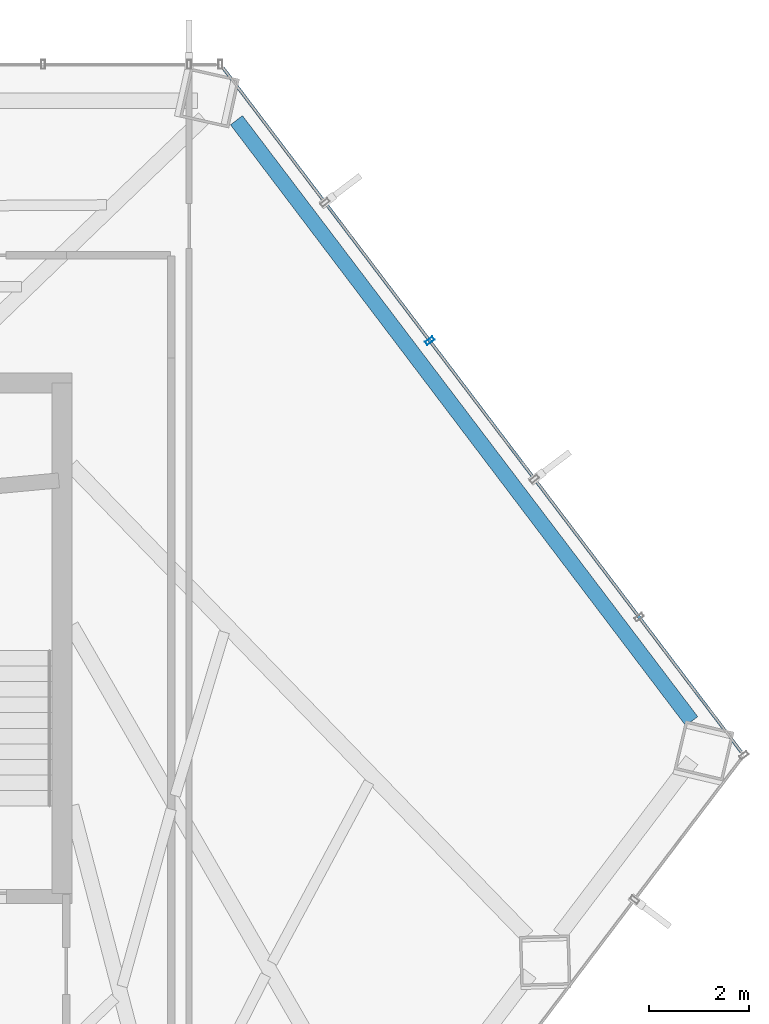
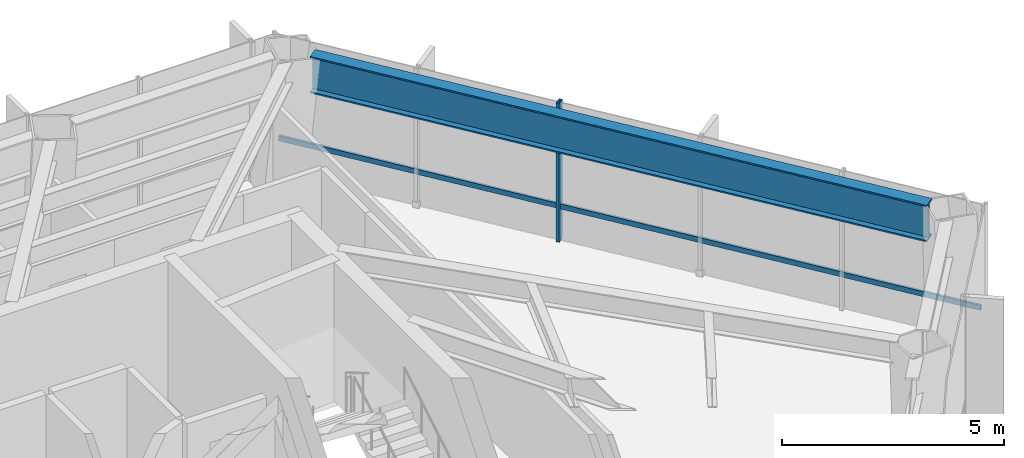
# One storey, part 19 of 24: 2 members, 1 beam, 1 element without a shape of its own.
"""IFC4 building model written with IfcOpenShell, lengths in metres."""

from ifc_helpers import new_model, si_unit, direction, frame, origin, origin_2d, place, context, subcontext, project, spatial, hollow_rectangle, i_section, extrude, material, layer, layer_set, material_profile, profile_set, type_object, element, aggregate, save


model = new_model("IFC4")

# Units and contexts
model_context = context("Model", 3, precision=1e-05, world=origin(), true_north=direction((0.0, 1.0)))
body_context = subcontext(model_context, "Body", "Model", "MODEL_VIEW")
ifc_project = project(units=[si_unit("LENGTHUNIT", "METRE"), si_unit("AREAUNIT", "SQUARE_METRE"), si_unit("VOLUMEUNIT", "CUBIC_METRE"), si_unit("PLANEANGLEUNIT", "RADIAN"), si_unit("MASSUNIT", "GRAM", prefix="KILO")], contexts=[model_context])

# Site, building, storey
site_placement = place(None, origin())
site = spatial("IfcSite", under=ifc_project, at=site_placement, CompositionType="ELEMENT")
building_placement = place(site_placement, origin())
building = spatial("IfcBuilding", under=site, at=building_placement, Name="Zarrinselat Tower", CompositionType="ELEMENT")
storey_placement = place(building_placement, frame((0.0, 0.0, 68.340087890625)))
storey = spatial("IfcBuildingStorey", under=building, at=storey_placement, Name="L16", CompositionType="ELEMENT", Elevation=68.340087890625)

# Beam
ifc_material_1 = material(Name="Steel S460M", Category="steel")
ifc_material_profile_1 = material_profile(ifc_material_1, i_section(OverallWidth=0.302001953125, OverallDepth=1.008056640625, WebThickness=0.02099609375, FlangeThickness=0.0400390625, at=origin_2d()), Name="HEM 1000")
ifc_profile_set_1 = profile_set([ifc_material_profile_1], Name="Steel S460M")
beam_type = type_object("IfcBeamType", Name="BM-HEM1000", PredefinedType="BEAM", material=ifc_profile_set_1)
beam_placement = place(storey_placement, frame((51.747802734375, 48.6943359375, 3.31591796875), z_axis=(0.60386049717, -0.797090019984, 0.0), x_axis=(0.797090019984, 0.60386049717, 0.0)))
element("IfcBeam", 1, at=beam_placement, inside=storey, type_object=beam_type, Name="L16 Perimeter Spandrel Girder SP15", PredefinedType="BEAM", context=body_context, shape_type="SweptSolid", body=[
    extrude(i_section(OverallWidth=0.302001953125, OverallDepth=1.008056640625, WebThickness=0.02099609375, FlangeThickness=0.0400390625, at=origin_2d()), origin(), (0.0, 0.0, 1.0), 15.059326171875),
])

# Curtain wall, members
ifc_material_2 = material(Name="Extruded Aluminium Alloy EN AW-6063 T6", Category="aluminium")
ifc_layer = layer(ifc_material_2, 0.18505859375)
ifc_layer_set = layer_set([ifc_layer], Name="Extruded Aluminium Alloy EN AW-6063 T6")
curtain_wall_type = type_object("IfcCurtainWallType", Name="CWS-OFF", PredefinedType="NOTDEFINED", material=ifc_layer_set)
curtain_wall_placement = place(storey_placement, origin())
curtain_wall = element("IfcCurtainWall", 2, at=curtain_wall_placement, inside=storey, type_object=curtain_wall_type, Name="L16 Unitised Curtain Wall CW-L16-E03", PredefinedType="NOTDEFINED")
ifc_material_3 = material(Name="Extruded Aluminium Alloy EN AW-6063 T6", Category="aluminium")
ifc_material_profile_2 = material_profile(ifc_material_3, hollow_rectangle(XDim=0.080078125, YDim=0.179931640625, WallThickness=0.0048828125, at=origin_2d()), Name="RHS 180x80x5")
ifc_profile_set_2 = profile_set([ifc_material_profile_2], Name="Extruded Aluminium Alloy EN AW-6063 T6")
member_type_1 = type_object("IfcMemberType", Name="MEM-CW-MUL", PredefinedType="MULLION", material=ifc_profile_set_2)
member_1_placement = place(storey_placement, frame((55.608642578125, 44.289794921875, 0.0), z_axis=(0.0, 0.0, 1.0), x_axis=(0.603859800485, -0.797090547779, 0.0)))
member_1 = element("IfcMember", 3, at=member_1_placement, type_object=member_type_1, Name="CW-L16-E03 Mullion 2", PredefinedType="MULLION", context=body_context, shape_type="SweptSolid", body=[
    extrude(hollow_rectangle(XDim=0.080078125, YDim=0.179931640625, WallThickness=0.0048828125, at=origin_2d()), origin(), (0.0, 0.0, 1.0), 3.81982421875),
])
ifc_material_4 = material(Name="Extruded Aluminium Alloy EN AW-6063 T6", Category="aluminium")
ifc_material_profile_3 = material_profile(ifc_material_4, hollow_rectangle(XDim=0.06005859375, YDim=0.139892578125, WallThickness=0.00390625, at=origin_2d()), Name="RHS 140x60x4")
ifc_profile_set_3 = profile_set([ifc_material_profile_3], Name="Extruded Aluminium Alloy EN AW-6063 T6")
member_type_2 = type_object("IfcMemberType", Name="MEM-CW-TRN", PredefinedType="USERDEFINED", material=ifc_profile_set_3)
member_2_placement = place(storey_placement, frame((51.480224609375, 49.739501953125, 0.949951171875), z_axis=(0.603854396488, -0.79709464171, 0.0), x_axis=(0.79709464171, 0.603854396488, 0.0)))
member_2 = element("IfcMember", 4, at=member_2_placement, type_object=member_type_2, Name="CW-L16-E03 Transom 1", ObjectType="TRANSOM", PredefinedType="USERDEFINED", context=body_context, shape_type="SweptSolid", body=[
    extrude(hollow_rectangle(XDim=0.06005859375, YDim=0.139892578125, WallThickness=0.00390625, at=origin_2d()), origin(), (0.0, 0.0, 1.0), 17.13671875),
])
aggregate(curtain_wall, [member_1, member_2])

save(model, "model.ifc")
